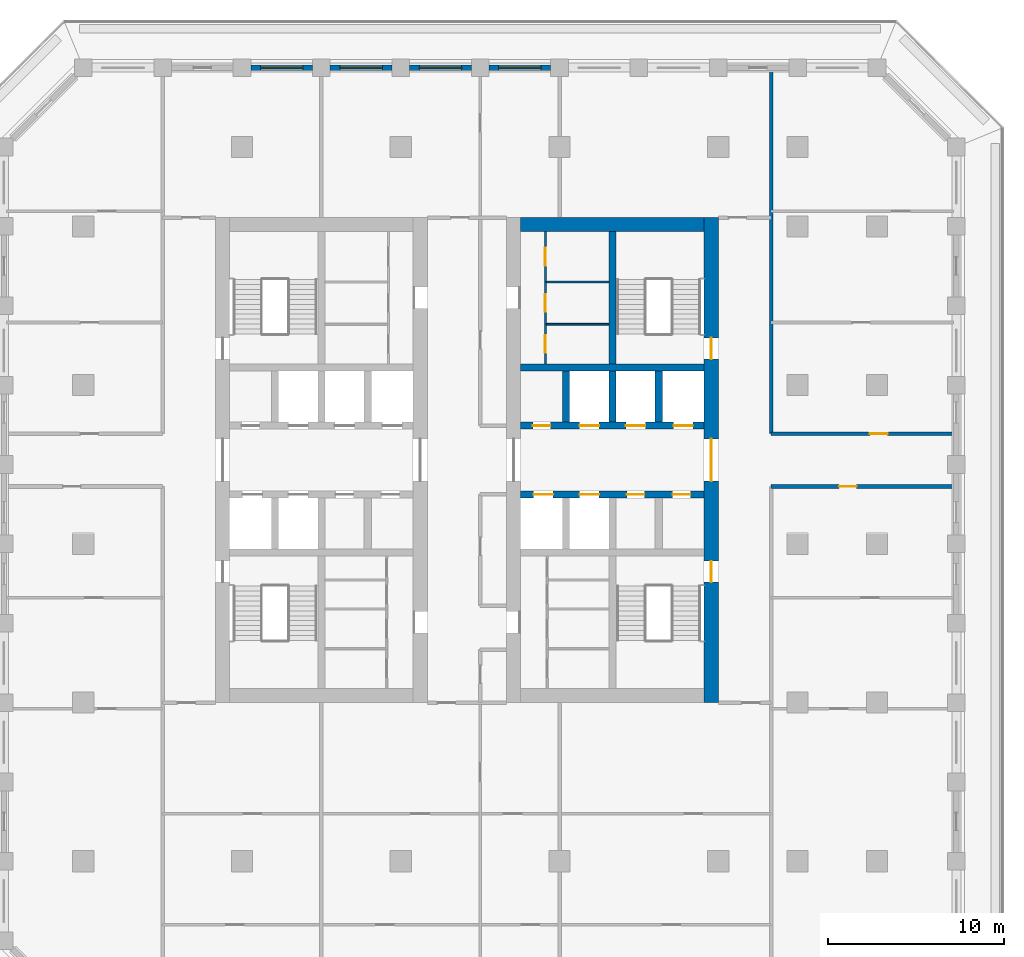
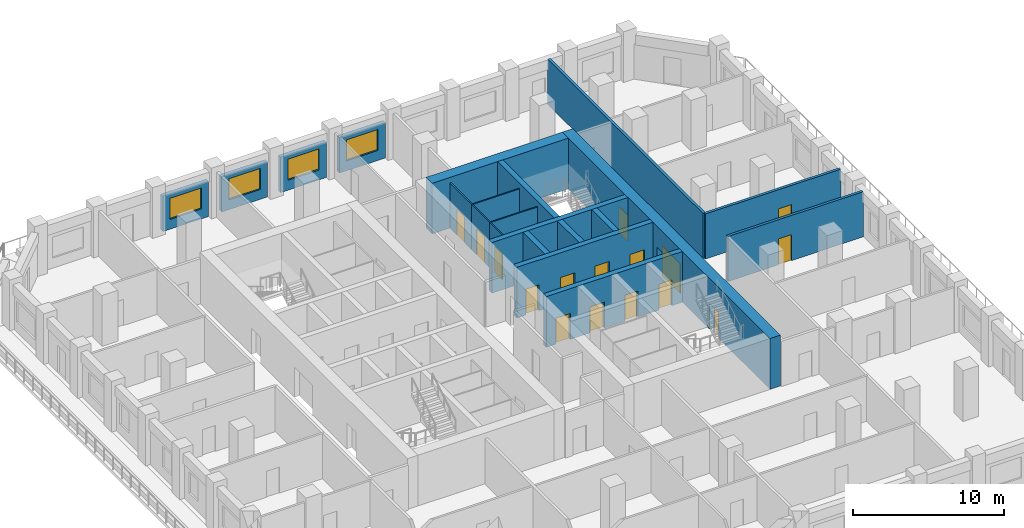
# One storey, part 7 of 16: 21 walls, 16 doors, 4 windows, 20 openings.
"""IFC4 building model written with IfcOpenShell, lengths in metres."""

from ifc_helpers import new_model, si_unit, direction, frame, frame_2d, origin, place, context, subcontext, project, spatial, rectangle, extrude, material, layer, layer_set, type_object, element, fill, save


model = new_model("IFC4")

# Units and contexts
model_context = context("Model", 3, precision=1e-05, world=origin(), true_north=direction((0.0, 1.0)))
body_context = subcontext(model_context, "Body", "Model", "MODEL_VIEW")
ifc_project = project(units=[si_unit("LENGTHUNIT", "METRE"), si_unit("AREAUNIT", "SQUARE_METRE"), si_unit("VOLUMEUNIT", "CUBIC_METRE"), si_unit("PLANEANGLEUNIT", "RADIAN"), si_unit("MASSUNIT", "GRAM", prefix="KILO")], contexts=[model_context])

# Site, building, storey
site_placement = place(None, origin())
site = spatial("IfcSite", under=ifc_project, at=site_placement, CompositionType="ELEMENT")
building_placement = place(site_placement, origin())
building = spatial("IfcBuilding", under=site, at=building_placement, Name="Corbel Stack Research Tower", CompositionType="ELEMENT")
storey_placement = place(building_placement, frame((0.0, 0.0, 203.800048828125)))
storey = spatial("IfcBuildingStorey", under=building, at=storey_placement, Name="L46", CompositionType="ELEMENT", Elevation=203.800048828125)

# Wall, openings, doors
ifc_material_1 = material(Name="Concrete C60/75", Category="concrete")
ifc_layer_1 = layer(ifc_material_1, 0.39990234375)
ifc_layer_set_1 = layer_set([ifc_layer_1], Name="Concrete C60/75")
wall_type_1 = type_object("IfcWallType", Name="CW-400-60", PredefinedType="SHEAR", material=ifc_layer_set_1)
wall_1_placement = place(storey_placement, frame((6.800048828125, 2.800048828125, 0.0), z_axis=(0.0, 0.0, 1.0), x_axis=(1.0, 0.0, 0.0)))
wall_1 = element("IfcWall", 1, at=wall_1_placement, inside=storey, type_object=wall_type_1, Name="East core wall, lobby south L46", PredefinedType="SHEAR", context=body_context, shape_type="SweptSolid", body=[
    extrude(rectangle(XDim=10.39990234375, YDim=0.39990234375, at=frame_2d((5.199951171875, 0.0))), origin(), (0.0, 0.0, 1.0), 4.099853515625),
])
opening_1_placement = place(wall_1_placement, frame((0.737548828125, 0.0, 0.0)))
opening_1 = element("IfcOpeningElement", 2, at=opening_1_placement, cuts=wall_1, Name="Opening LD-FS2", PredefinedType="OPENING", context=body_context, shape_type="SweptSolid", body=[
    extrude(rectangle(XDim=1.10009765625, YDim=2.10009765625, at=frame_2d((0.550048828125, 1.050048828125))), frame((0.0, 0.2099609375, 0.0), z_axis=(0.0, -1.0, 0.0), x_axis=(1.0, 0.0, 0.0)), (0.0, 0.0, 1.0), 0.419921875),
])
opening_2_placement = place(wall_1_placement, frame((3.33740234375, 0.0, 0.0)))
opening_2 = element("IfcOpeningElement", 3, at=opening_2_placement, cuts=wall_1, Name="Opening LD-GL2", PredefinedType="OPENING", context=body_context, shape_type="SweptSolid", body=[
    extrude(rectangle(XDim=1.10009765625, YDim=2.10009765625, at=frame_2d((0.550048828125, 1.050048828125))), frame((0.0, 0.2099609375, 0.0), z_axis=(0.0, -1.0, 0.0), x_axis=(1.0, 0.0, 0.0)), (0.0, 0.0, 1.0), 0.419921875),
])
opening_3_placement = place(wall_1_placement, frame((6.012451171875, 0.0, 0.0)))
opening_3 = element("IfcOpeningElement", 4, at=opening_3_placement, cuts=wall_1, Name="Opening CR-E42-S3", PredefinedType="OPENING", context=body_context, shape_type="SweptSolid", body=[
    extrude(rectangle(XDim=1.0, YDim=2.10009765625, at=frame_2d((0.5, 1.050048828125))), frame((0.0, 0.2099609375, 0.0), z_axis=(0.0, -1.0, 0.0), x_axis=(1.0, 0.0, 0.0)), (0.0, 0.0, 1.0), 0.419921875),
])
opening_4_placement = place(wall_1_placement, frame((8.612548828125, 0.0, 0.0)))
opening_4 = element("IfcOpeningElement", 5, at=opening_4_placement, cuts=wall_1, Name="Opening CR-E42-S4", PredefinedType="OPENING", context=body_context, shape_type="SweptSolid", body=[
    extrude(rectangle(XDim=1.0, YDim=2.10009765625, at=frame_2d((0.5, 1.050048828125))), frame((0.0, 0.2099609375, 0.0), z_axis=(0.0, -1.0, 0.0), x_axis=(1.0, 0.0, 0.0)), (0.0, 0.0, 1.0), 0.419921875),
])
ifc_material_2 = material(Name="Stainless steel landing door", Category="steel")
door_type_1 = type_object("IfcDoorType", Name="Lift landing door 1100 x 2100", OperationType="DOUBLE_DOOR_SLIDING", PredefinedType="DOOR", material=ifc_material_2)
door_1_placement = place(opening_1_placement, origin())
door_1 = element("IfcDoor", 6, at=door_1_placement, inside=storey, type_object=door_type_1, Name="Landing door FS2", OperationType="DOUBLE_DOOR_SLIDING", OverallHeight=2.10009765625, OverallWidth=1.10009765625, PredefinedType="DOOR", context=body_context, shape_type="SweptSolid", body=[
    extrude(rectangle(XDim=1.10009765625, YDim=2.10009765625, at=frame_2d((0.550048828125, 1.050048828125))), frame((0.0, 0.02490234375, 0.0), z_axis=(0.0, -1.0, 0.0), x_axis=(1.0, 0.0, 0.0)), (0.0, 0.0, 1.0), 0.050048828125),
])
fill(opening_1, door_1)
door_2_placement = place(opening_2_placement, origin())
door_2 = element("IfcDoor", 7, at=door_2_placement, inside=storey, type_object=door_type_1, Name="Landing door GL2", OperationType="DOUBLE_DOOR_SLIDING", OverallHeight=2.10009765625, OverallWidth=1.10009765625, PredefinedType="DOOR", context=body_context, shape_type="SweptSolid", body=[
    extrude(rectangle(XDim=1.10009765625, YDim=2.10009765625, at=frame_2d((0.550048828125, 1.050048828125))), frame((0.0, 0.02490234375, 0.0), z_axis=(0.0, -1.0, 0.0), x_axis=(1.0, 0.0, 0.0)), (0.0, 0.0, 1.0), 0.050048828125),
])
fill(opening_2, door_2)
ifc_material_3 = material(Name="Painted steel door", Category="steel")
door_type_2 = type_object("IfcDoorType", Name="Service door 1000 x 2100 FD60 left hand", OperationType="SINGLE_SWING_LEFT", PredefinedType="DOOR", material=ifc_material_3)
door_3_placement = place(opening_3_placement, origin())
door_3 = element("IfcDoor", 8, at=door_3_placement, inside=storey, type_object=door_type_2, Name="Electrical room door E core", OperationType="SINGLE_SWING_LEFT", OverallHeight=2.10009765625, OverallWidth=1.0, PredefinedType="DOOR", context=body_context, shape_type="SweptSolid", body=[
    extrude(rectangle(XDim=1.0, YDim=2.10009765625, at=frame_2d((0.5, 1.050048828125))), frame((0.0, 0.02490234375, 0.0), z_axis=(0.0, -1.0, 0.0), x_axis=(1.0, 0.0, 0.0)), (0.0, 0.0, 1.0), 0.050048828125),
])
fill(opening_3, door_3)
ifc_material_4 = material(Name="Painted steel door", Category="steel")
door_type_3 = type_object("IfcDoorType", Name="Service door 1000 x 2100 FD60 right hand", OperationType="SINGLE_SWING_RIGHT", PredefinedType="DOOR", material=ifc_material_4)
door_4_placement = place(opening_4_placement, origin())
door_4 = element("IfcDoor", 9, at=door_4_placement, inside=storey, type_object=door_type_3, Name="Pantry door E core", OperationType="SINGLE_SWING_RIGHT", OverallHeight=2.10009765625, OverallWidth=1.0, PredefinedType="DOOR", context=body_context, shape_type="SweptSolid", body=[
    extrude(rectangle(XDim=1.0, YDim=2.10009765625, at=frame_2d((0.5, 1.050048828125))), frame((0.0, 0.02490234375, 0.0), z_axis=(0.0, -1.0, 0.0), x_axis=(1.0, 0.0, 0.0)), (0.0, 0.0, 1.0), 0.050048828125),
])
fill(opening_4, door_4)

wall_2_placement = place(storey_placement, frame((6.800048828125, 6.699951171875, 0.0), z_axis=(0.0, 0.0, 1.0), x_axis=(1.0, 0.0, 0.0)))
wall_2 = element("IfcWall", 10, at=wall_2_placement, inside=storey, type_object=wall_type_1, Name="East core wall, lobby north L46", PredefinedType="SHEAR", context=body_context, shape_type="SweptSolid", body=[
    extrude(rectangle(XDim=10.39990234375, YDim=0.39990234375, at=frame_2d((5.199951171875, 0.0))), origin(), (0.0, 0.0, 1.0), 4.099853515625),
])
opening_5_placement = place(wall_2_placement, frame((3.33740234375, 0.0, 0.0)))
opening_5 = element("IfcOpeningElement", 11, at=opening_5_placement, cuts=wall_2, Name="Opening LD-HR4", PredefinedType="OPENING", context=body_context, shape_type="SweptSolid", body=[
    extrude(rectangle(XDim=1.10009765625, YDim=2.10009765625, at=frame_2d((0.550048828125, 1.050048828125))), frame((0.0, 0.2099609375, 0.0), z_axis=(0.0, -1.0, 0.0), x_axis=(1.0, 0.0, 0.0)), (0.0, 0.0, 1.0), 0.419921875),
])
opening_6_placement = place(wall_2_placement, frame((5.96240234375, 0.0, 0.0)))
opening_6 = element("IfcOpeningElement", 12, at=opening_6_placement, cuts=wall_2, Name="Opening LD-HR5", PredefinedType="OPENING", context=body_context, shape_type="SweptSolid", body=[
    extrude(rectangle(XDim=1.10009765625, YDim=2.10009765625, at=frame_2d((0.550048828125, 1.050048828125))), frame((0.0, 0.2099609375, 0.0), z_axis=(0.0, -1.0, 0.0), x_axis=(1.0, 0.0, 0.0)), (0.0, 0.0, 1.0), 0.419921875),
])
opening_7_placement = place(wall_2_placement, frame((8.66259765625, 0.0, 0.0)))
opening_7 = element("IfcOpeningElement", 13, at=opening_7_placement, cuts=wall_2, Name="Opening LD-HR6", PredefinedType="OPENING", context=body_context, shape_type="SweptSolid", body=[
    extrude(rectangle(XDim=1.10009765625, YDim=2.10009765625, at=frame_2d((0.550048828125, 1.050048828125))), frame((0.0, 0.2099609375, 0.0), z_axis=(0.0, -1.0, 0.0), x_axis=(1.0, 0.0, 0.0)), (0.0, 0.0, 1.0), 0.419921875),
])
opening_8_placement = place(wall_2_placement, frame((0.6875, 0.0, 0.0)))
opening_8 = element("IfcOpeningElement", 14, at=opening_8_placement, cuts=wall_2, Name="Opening CR-E42-N1", PredefinedType="OPENING", context=body_context, shape_type="SweptSolid", body=[
    extrude(rectangle(XDim=1.0, YDim=2.10009765625, at=frame_2d((0.5, 1.050048828125))), frame((0.0, 0.2099609375, 0.0), z_axis=(0.0, -1.0, 0.0), x_axis=(1.0, 0.0, 0.0)), (0.0, 0.0, 1.0), 0.419921875),
])
door_5_placement = place(opening_5_placement, origin())
door_5 = element("IfcDoor", 15, at=door_5_placement, inside=storey, type_object=door_type_1, Name="Landing door HR4", OperationType="DOUBLE_DOOR_SLIDING", OverallHeight=2.10009765625, OverallWidth=1.10009765625, PredefinedType="DOOR", context=body_context, shape_type="SweptSolid", body=[
    extrude(rectangle(XDim=1.10009765625, YDim=2.10009765625, at=frame_2d((0.550048828125, 1.050048828125))), frame((0.0, 0.02490234375, 0.0), z_axis=(0.0, -1.0, 0.0), x_axis=(1.0, 0.0, 0.0)), (0.0, 0.0, 1.0), 0.050048828125),
])
fill(opening_5, door_5)
door_6_placement = place(opening_6_placement, origin())
door_6 = element("IfcDoor", 16, at=door_6_placement, inside=storey, type_object=door_type_1, Name="Landing door HR5", OperationType="DOUBLE_DOOR_SLIDING", OverallHeight=2.10009765625, OverallWidth=1.10009765625, PredefinedType="DOOR", context=body_context, shape_type="SweptSolid", body=[
    extrude(rectangle(XDim=1.10009765625, YDim=2.10009765625, at=frame_2d((0.550048828125, 1.050048828125))), frame((0.0, 0.02490234375, 0.0), z_axis=(0.0, -1.0, 0.0), x_axis=(1.0, 0.0, 0.0)), (0.0, 0.0, 1.0), 0.050048828125),
])
fill(opening_6, door_6)
door_7_placement = place(opening_7_placement, origin())
door_7 = element("IfcDoor", 17, at=door_7_placement, inside=storey, type_object=door_type_1, Name="Landing door HR6", OperationType="DOUBLE_DOOR_SLIDING", OverallHeight=2.10009765625, OverallWidth=1.10009765625, PredefinedType="DOOR", context=body_context, shape_type="SweptSolid", body=[
    extrude(rectangle(XDim=1.10009765625, YDim=2.10009765625, at=frame_2d((0.550048828125, 1.050048828125))), frame((0.0, 0.02490234375, 0.0), z_axis=(0.0, -1.0, 0.0), x_axis=(1.0, 0.0, 0.0)), (0.0, 0.0, 1.0), 0.050048828125),
])
fill(opening_7, door_7)
door_8_placement = place(opening_8_placement, origin())
door_8 = element("IfcDoor", 18, at=door_8_placement, inside=storey, type_object=door_type_2, Name="Staff WC door E core", OperationType="SINGLE_SWING_LEFT", OverallHeight=2.10009765625, OverallWidth=1.0, PredefinedType="DOOR", context=body_context, shape_type="SweptSolid", body=[
    extrude(rectangle(XDim=1.0, YDim=2.10009765625, at=frame_2d((0.5, 1.050048828125))), frame((0.0, 0.02490234375, 0.0), z_axis=(0.0, -1.0, 0.0), x_axis=(1.0, 0.0, 0.0)), (0.0, 0.0, 1.0), 0.050048828125),
])
fill(opening_8, door_8)

# Walls
wall_3_placement = place(storey_placement, frame((6.800048828125, 10.0, 0.0), z_axis=(0.0, 0.0, 1.0), x_axis=(1.0, 0.0, 0.0)))
element("IfcWall", 19, at=wall_3_placement, inside=storey, type_object=wall_type_1, Name="East core wall, north row back L46", PredefinedType="SHEAR", context=body_context, shape_type="SweptSolid", body=[
    extrude(rectangle(XDim=10.39990234375, YDim=0.39990234375, at=frame_2d((5.199951171875, 0.0))), origin(), (0.0, 0.0, 1.0), 4.099853515625),
])
for number, where, z_axis, x_axis, name in (
    (20, (9.375, 6.89990234375, 0.0), (0.0, 0.0, 1.0), (0.0, 1.0, 0.0), "East core wall, north shaft 1 L46"),
    (21, (12.0, 6.89990234375, 0.0), (0.0, 0.0, 1.0), (0.0, 1.0, 0.0), "East core wall, north shaft 2 L46"),
    (22, (14.625, 6.89990234375, 0.0), (0.0, 0.0, 1.0), (0.0, 1.0, 0.0), "East core wall, north shaft 3 L46"),
):
    element("IfcWall", number, at=place(storey_placement, frame(where, z_axis=z_axis, x_axis=x_axis)), inside=storey, type_object=wall_type_1, Name=name, PredefinedType="SHEAR", context=body_context, shape_type="SweptSolid", body=[
        extrude(rectangle(XDim=2.900146484375, YDim=0.39990234375, at=frame_2d((1.4501953125, 0.0))), origin(), (0.0, 0.0, 1.0), 4.099853515625),
    ])
wall_4_placement = place(storey_placement, frame((12.0, 10.199951171875, 0.0), z_axis=(0.0, 0.0, 1.0), x_axis=(0.0, 1.0, 0.0)))
element("IfcWall", 23, at=wall_4_placement, inside=storey, type_object=wall_type_1, Name="East core wall, north stair and riser L46", PredefinedType="SHEAR", context=body_context, shape_type="SweptSolid", body=[
    extrude(rectangle(XDim=7.5, YDim=0.39990234375, at=frame_2d((3.75, 0.0))), origin(), (0.0, 0.0, 1.0), 4.099853515625),
])

# Wall, openings, doors
ifc_material_5 = material(Name="Concrete C60/75", Category="concrete")
ifc_layer_2 = layer(ifc_material_5, 0.800048828125)
ifc_layer_set_2 = layer_set([ifc_layer_2], Name="Concrete C60/75")
wall_type_2 = type_object("IfcWallType", Name="CW-800-60", PredefinedType="SHEAR", material=ifc_layer_set_2)
wall_5_placement = place(storey_placement, frame((17.60009765625, -9.0, 0.0), z_axis=(0.0, 0.0, 1.0), x_axis=(0.0, 1.0, 0.0)))
wall_5 = element("IfcWall", 24, at=wall_5_placement, inside=storey, type_object=wall_type_2, Name="East core wall, east face L46", PredefinedType="SHEAR", context=body_context, shape_type="SweptSolid", body=[
    extrude(rectangle(XDim=27.5, YDim=0.800048828125, at=frame_2d((13.75, 0.0))), origin(), (0.0, 0.0, 1.0), 4.099853515625),
])
opening_9_placement = place(wall_5_placement, frame((12.550048828125, 0.0, 0.0)))
opening_9 = element("IfcOpeningElement", 25, at=opening_9_placement, cuts=wall_5, Name="Opening CD-E-E", PredefinedType="OPENING", context=body_context, shape_type="SweptSolid", body=[
    extrude(rectangle(XDim=2.39990234375, YDim=2.39990234375, at=frame_2d((1.199951171875, 1.199951171875))), frame((0.0, 0.409912109375, 0.0), z_axis=(0.0, -1.0, 0.0), x_axis=(1.0, 0.0, 0.0)), (0.0, 0.0, 1.0), 0.820068359375),
])
opening_10_placement = place(wall_5_placement, frame((6.824951171875, 0.0, 0.0)))
opening_10 = element("IfcOpeningElement", 26, at=opening_10_placement, cuts=wall_5, Name="Opening SD-ST-E1", PredefinedType="OPENING", context=body_context, shape_type="SweptSolid", body=[
    extrude(rectangle(XDim=1.199951171875, YDim=2.10009765625, at=frame_2d((0.60009765625, 1.050048828125))), frame((0.0, 0.409912109375, 0.0), z_axis=(0.0, -1.0, 0.0), x_axis=(1.0, 0.0, 0.0)), (0.0, 0.0, 1.0), 0.820068359375),
])
opening_11_placement = place(wall_5_placement, frame((19.47509765625, 0.0, 0.0)))
opening_11 = element("IfcOpeningElement", 27, at=opening_11_placement, cuts=wall_5, Name="Opening SD-ST-E2", PredefinedType="OPENING", context=body_context, shape_type="SweptSolid", body=[
    extrude(rectangle(XDim=1.199951171875, YDim=2.10009765625, at=frame_2d((0.60009765625, 1.050048828125))), frame((0.0, 0.409912109375, 0.0), z_axis=(0.0, -1.0, 0.0), x_axis=(1.0, 0.0, 0.0)), (0.0, 0.0, 1.0), 0.820068359375),
])
ifc_material_6 = material(Name="Painted steel fire door", Category="steel")
door_type_4 = type_object("IfcDoorType", Name="Lobby door pair 2400 x 2400 FD30S", OperationType="DOUBLE_DOOR_DOUBLE_SWING", PredefinedType="DOOR", material=ifc_material_6)
door_9_placement = place(opening_9_placement, origin())
door_9 = element("IfcDoor", 28, at=door_9_placement, inside=storey, type_object=door_type_4, Name="Lift lobby door E core E", OperationType="DOUBLE_DOOR_DOUBLE_SWING", OverallHeight=2.39990234375, OverallWidth=2.39990234375, PredefinedType="DOOR", context=body_context, shape_type="SweptSolid", body=[
    extrude(rectangle(XDim=2.39990234375, YDim=2.39990234375, at=frame_2d((1.199951171875, 1.199951171875))), frame((0.0, 0.02490234375, 0.0), z_axis=(0.0, -1.0, 0.0), x_axis=(1.0, 0.0, 0.0)), (0.0, 0.0, 1.0), 0.050048828125),
])
fill(opening_9, door_9)
ifc_material_7 = material(Name="Painted steel fire door", Category="steel")
door_type_5 = type_object("IfcDoorType", Name="Stair door 1200 x 2100 FD90 right hand", OperationType="SINGLE_SWING_RIGHT", PredefinedType="DOOR", material=ifc_material_7)
door_10_placement = place(opening_10_placement, frame((1.199951171875, 0.0, 0.0), z_axis=(0.0, 0.0, 1.0), x_axis=(-1.0, 0.0, 0.0)))
door_10 = element("IfcDoor", 29, at=door_10_placement, inside=storey, type_object=door_type_5, Name="Stair door ST-E1", OperationType="SINGLE_SWING_LEFT", OverallHeight=2.10009765625, OverallWidth=1.199951171875, PredefinedType="DOOR", context=body_context, shape_type="SweptSolid", body=[
    extrude(rectangle(XDim=1.199951171875, YDim=2.10009765625, at=frame_2d((0.60009765625, 1.050048828125))), frame((0.0, 0.02490234375, 0.0), z_axis=(0.0, -1.0, 0.0), x_axis=(1.0, 0.0, 0.0)), (0.0, 0.0, 1.0), 0.050048828125),
])
fill(opening_10, door_10)
door_11_placement = place(opening_11_placement, frame((1.199951171875, 0.0, 0.0), z_axis=(0.0, 0.0, 1.0), x_axis=(-1.0, 0.0, 0.0)))
door_11 = element("IfcDoor", 30, at=door_11_placement, inside=storey, type_object=door_type_5, Name="Stair door ST-E2", OperationType="SINGLE_SWING_LEFT", OverallHeight=2.10009765625, OverallWidth=1.199951171875, PredefinedType="DOOR", context=body_context, shape_type="SweptSolid", body=[
    extrude(rectangle(XDim=1.199951171875, YDim=2.10009765625, at=frame_2d((0.60009765625, 1.050048828125))), frame((0.0, 0.02490234375, 0.0), z_axis=(0.0, -1.0, 0.0), x_axis=(1.0, 0.0, 0.0)), (0.0, 0.0, 1.0), 0.050048828125),
])
fill(opening_11, door_11)

# Wall
wall_6_placement = place(storey_placement, frame((6.800048828125, 18.10009765625, 0.0), z_axis=(0.0, 0.0, 1.0), x_axis=(1.0, 0.0, 0.0)))
element("IfcWall", 31, at=wall_6_placement, inside=storey, type_object=wall_type_2, Name="East core wall, north end L46", PredefinedType="SHEAR", context=body_context, shape_type="SweptSolid", body=[
    extrude(rectangle(XDim=10.39990234375, YDim=0.800048828125, at=frame_2d((5.199951171875, 0.0))), origin(), (0.0, 0.0, 1.0), 4.099853515625),
])

# Wall, opening, door
ifc_material_8 = material(Name="Gypsum board")
ifc_layer_3 = layer(ifc_material_8, 0.10009765625)
ifc_layer_set_3 = layer_set([ifc_layer_3], Name="Gypsum board")
wall_type_3 = type_object("IfcWallType", Name="Core partition 100", PredefinedType="PARTITIONING", material=ifc_layer_set_3)
wall_7_placement = place(storey_placement, frame((8.199951171875, 10.199951171875, 0.0), z_axis=(0.0, 0.0, 1.0), x_axis=(0.0, 1.0, 0.0)))
wall_7 = element("IfcWall", 32, at=wall_7_placement, inside=storey, type_object=wall_type_3, Name="Core partition E", PredefinedType="PARTITIONING", context=body_context, shape_type="SweptSolid", body=[
    extrude(rectangle(XDim=2.25, YDim=0.10009765625, at=frame_2d((1.125, 0.0))), origin(), (0.0, 0.0, 1.0), 3.64990234375),
])
opening_12_placement = place(wall_7_placement, frame((0.625, 0.0, 0.0)))
opening_12 = element("IfcOpeningElement", 33, at=opening_12_placement, cuts=wall_7, Name="Opening CR-E42-R2-1000", PredefinedType="OPENING", context=body_context, shape_type="SweptSolid", body=[
    extrude(rectangle(XDim=1.0, YDim=2.10009765625, at=frame_2d((0.5, 1.050048828125))), frame((0.0, 0.06005859375, 0.0), z_axis=(0.0, -1.0, 0.0), x_axis=(1.0, 0.0, 0.0)), (0.0, 0.0, 1.0), 0.1201171875),
])
ifc_material_9 = material(Name="Painted steel door", Category="steel")
door_type_6 = type_object("IfcDoorType", Name="Riser door 1000 x 2100 FD60 left hand", OperationType="SINGLE_SWING_LEFT", PredefinedType="DOOR", material=ifc_material_9)
door_12_placement = place(opening_12_placement, origin())
door_12 = element("IfcDoor", 34, at=door_12_placement, inside=storey, type_object=door_type_6, Name="Mechanical riser door E core", OperationType="SINGLE_SWING_LEFT", OverallHeight=2.10009765625, OverallWidth=1.0, PredefinedType="DOOR", context=body_context, shape_type="SweptSolid", body=[
    extrude(rectangle(XDim=1.0, YDim=2.10009765625, at=frame_2d((0.5, 1.050048828125))), frame((0.0, 0.02490234375, 0.0), z_axis=(0.0, -1.0, 0.0), x_axis=(1.0, 0.0, 0.0)), (0.0, 0.0, 1.0), 0.050048828125),
])
fill(opening_12, door_12)

wall_8_placement = place(storey_placement, frame((8.199951171875, 12.449951171875, 0.0), z_axis=(0.0, 0.0, 1.0), x_axis=(0.0, 1.0, 0.0)))
wall_8 = element("IfcWall", 35, at=wall_8_placement, inside=storey, type_object=wall_type_3, Name="Core partition E", PredefinedType="PARTITIONING", context=body_context, shape_type="SweptSolid", body=[
    extrude(rectangle(XDim=2.400146484375, YDim=0.10009765625, at=frame_2d((1.2001953125, 0.0))), origin(), (0.0, 0.0, 1.0), 3.64990234375),
])
opening_13_placement = place(wall_8_placement, frame((0.699951171875, 0.0, 0.0)))
opening_13 = element("IfcOpeningElement", 36, at=opening_13_placement, cuts=wall_8, Name="Opening CR-E42-R3-1000", PredefinedType="OPENING", context=body_context, shape_type="SweptSolid", body=[
    extrude(rectangle(XDim=1.0, YDim=2.10009765625, at=frame_2d((0.5, 1.050048828125))), frame((0.0, 0.06005859375, 0.0), z_axis=(0.0, -1.0, 0.0), x_axis=(1.0, 0.0, 0.0)), (0.0, 0.0, 1.0), 0.1201171875),
])
ifc_material_10 = material(Name="Painted steel door", Category="steel")
door_type_7 = type_object("IfcDoorType", Name="Service door 1000 x 2100 FD30 right hand", OperationType="SINGLE_SWING_RIGHT", PredefinedType="DOOR", material=ifc_material_10)
door_13_placement = place(opening_13_placement, origin())
door_13 = element("IfcDoor", 37, at=door_13_placement, inside=storey, type_object=door_type_7, Name="Pantry door E core", OperationType="SINGLE_SWING_RIGHT", OverallHeight=2.10009765625, OverallWidth=1.0, PredefinedType="DOOR", context=body_context, shape_type="SweptSolid", body=[
    extrude(rectangle(XDim=1.0, YDim=2.10009765625, at=frame_2d((0.5, 1.050048828125))), frame((0.0, 0.02490234375, 0.0), z_axis=(0.0, -1.0, 0.0), x_axis=(1.0, 0.0, 0.0)), (0.0, 0.0, 1.0), 0.050048828125),
])
fill(opening_13, door_13)

wall_9_placement = place(storey_placement, frame((8.199951171875, 14.85009765625, 0.0), z_axis=(0.0, 0.0, 1.0), x_axis=(0.0, 1.0, 0.0)))
wall_9 = element("IfcWall", 38, at=wall_9_placement, inside=storey, type_object=wall_type_3, Name="Core partition E", PredefinedType="PARTITIONING", context=body_context, shape_type="SweptSolid", body=[
    extrude(rectangle(XDim=2.849853515625, YDim=0.10009765625, at=frame_2d((1.4248046875, 0.0))), origin(), (0.0, 0.0, 1.0), 3.64990234375),
])
opening_14_placement = place(wall_9_placement, frame((0.925048828125, 0.0, 0.0)))
opening_14 = element("IfcOpeningElement", 39, at=opening_14_placement, cuts=wall_9, Name="Opening CR-E42-R4-1000", PredefinedType="OPENING", context=body_context, shape_type="SweptSolid", body=[
    extrude(rectangle(XDim=1.0, YDim=2.10009765625, at=frame_2d((0.5, 1.050048828125))), frame((0.0, 0.06005859375, 0.0), z_axis=(0.0, -1.0, 0.0), x_axis=(1.0, 0.0, 0.0)), (0.0, 0.0, 1.0), 0.1201171875),
])
door_14_placement = place(opening_14_placement, origin())
door_14 = element("IfcDoor", 40, at=door_14_placement, inside=storey, type_object=door_type_6, Name="Electrical riser door E core", OperationType="SINGLE_SWING_LEFT", OverallHeight=2.10009765625, OverallWidth=1.0, PredefinedType="DOOR", context=body_context, shape_type="SweptSolid", body=[
    extrude(rectangle(XDim=1.0, YDim=2.10009765625, at=frame_2d((0.5, 1.050048828125))), frame((0.0, 0.02490234375, 0.0), z_axis=(0.0, -1.0, 0.0), x_axis=(1.0, 0.0, 0.0)), (0.0, 0.0, 1.0), 0.050048828125),
])
fill(opening_14, door_14)

# Walls
for number, where, z_axis, x_axis, name in (
    (41, (8.199951171875, 12.449951171875, 0.0), (0.0, 0.0, 1.0), (1.0, 0.0, 0.0), "Core partition E"),
    (42, (8.199951171875, 14.85009765625, 0.0), (0.0, 0.0, 1.0), (1.0, 0.0, 0.0), "Core partition E"),
):
    element("IfcWall", number, at=place(storey_placement, frame(where, z_axis=z_axis, x_axis=x_axis)), inside=storey, type_object=wall_type_3, Name=name, PredefinedType="PARTITIONING", context=body_context, shape_type="SweptSolid", body=[
        extrude(rectangle(XDim=3.60009765625, YDim=0.10009765625, at=frame_2d((1.800048828125, 0.0))), origin(), (0.0, 0.0, 1.0), 3.64990234375),
    ])
ifc_material_11 = material(Name="Fire-rated gypsum board partition on steel studs", Category="steel")
ifc_layer_4 = layer(ifc_material_11, 0.199951171875)
ifc_layer_set_4 = layer_set([ifc_layer_4], Name="Fire-rated gypsum board partition on steel studs")
wall_type_4 = type_object("IfcWallType", Name="Fire-rated partition 200 EI 60", PredefinedType="PARTITIONING", material=ifc_layer_set_4)
wall_10_placement = place(storey_placement, frame((21.0, 6.25, 0.0), z_axis=(0.0, 0.0, 1.0), x_axis=(0.0, 1.0, 0.0)))
element("IfcWall", 43, at=wall_10_placement, inside=storey, type_object=wall_type_4, Name="Partition L46-015", PredefinedType="PARTITIONING", context=body_context, shape_type="SweptSolid", body=[
    extrude(rectangle(XDim=20.60009765625, YDim=0.199951171875, at=frame_2d((10.300048828125, 0.0))), origin(), (0.0, 0.0, 1.0), 3.64990234375),
])

# Wall, opening, door
wall_11_placement = place(storey_placement, frame((31.35009765625, 3.25, 0.0), z_axis=(0.0, 0.0, 1.0), x_axis=(-1.0, 0.0, 0.0)))
wall_11 = element("IfcWall", 44, at=wall_11_placement, inside=storey, type_object=wall_type_4, Name="Partition L46-032", PredefinedType="PARTITIONING", context=body_context, shape_type="SweptSolid", body=[
    extrude(rectangle(XDim=10.35009765625, YDim=0.199951171875, at=frame_2d((5.175048828125, 0.0))), origin(), (0.0, 0.0, 1.0), 3.64990234375),
])
opening_15_placement = place(wall_11_placement, frame((5.5, 0.0, 0.0)))
opening_15 = element("IfcOpeningElement", 45, at=opening_15_placement, cuts=wall_11, Name="Opening B6V1-017", PredefinedType="OPENING", context=body_context, shape_type="SweptSolid", body=[
    extrude(rectangle(XDim=1.0, YDim=2.10009765625, at=frame_2d((0.5, 1.050048828125))), frame((0.0, 0.10986328125, 0.0), z_axis=(0.0, -1.0, 0.0), x_axis=(1.0, 0.0, 0.0)), (0.0, 0.0, 1.0), 0.219970703125),
])
ifc_material_12 = material(Name="Painted steel fire door", Category="steel")
door_type_8 = type_object("IfcDoorType", Name="Fire door FD30S 1000 x 2100", OperationType="NOTDEFINED", PredefinedType="DOOR", material=ifc_material_12)
door_15_placement = place(opening_15_placement, origin())
door_15 = element("IfcDoor", 46, at=door_15_placement, inside=storey, type_object=door_type_8, Name="Door B6V1-017", OperationType="SINGLE_SWING_RIGHT", OverallHeight=2.10009765625, OverallWidth=1.0, PredefinedType="DOOR", context=body_context, shape_type="SweptSolid", body=[
    extrude(rectangle(XDim=1.0, YDim=2.10009765625, at=frame_2d((0.5, 1.050048828125))), frame((0.0, 0.02490234375, 0.0), z_axis=(0.0, -1.0, 0.0), x_axis=(1.0, 0.0, 0.0)), (0.0, 0.0, 1.0), 0.050048828125),
])
fill(opening_15, door_15)

wall_12_placement = place(storey_placement, frame((21.0, 6.25, 0.0), z_axis=(0.0, 0.0, 1.0), x_axis=(1.0, 0.0, 0.0)))
wall_12 = element("IfcWall", 47, at=wall_12_placement, inside=storey, type_object=wall_type_4, Name="Partition L46-034", PredefinedType="PARTITIONING", context=body_context, shape_type="SweptSolid", body=[
    extrude(rectangle(XDim=10.35009765625, YDim=0.199951171875, at=frame_2d((5.175048828125, 0.0))), origin(), (0.0, 0.0, 1.0), 3.64990234375),
])
opening_16_placement = place(wall_12_placement, frame((5.60009765625, 0.0, 0.0)))
opening_16 = element("IfcOpeningElement", 48, at=opening_16_placement, cuts=wall_12, Name="Opening B6V1-024", PredefinedType="OPENING", context=body_context, shape_type="SweptSolid", body=[
    extrude(rectangle(XDim=1.0, YDim=2.10009765625, at=frame_2d((0.5, 1.050048828125))), frame((0.0, 0.10986328125, 0.0), z_axis=(0.0, -1.0, 0.0), x_axis=(1.0, 0.0, 0.0)), (0.0, 0.0, 1.0), 0.219970703125),
])
door_16_placement = place(opening_16_placement, origin())
door_16 = element("IfcDoor", 49, at=door_16_placement, inside=storey, type_object=door_type_8, Name="Door B6V1-024", OperationType="SINGLE_SWING_RIGHT", OverallHeight=2.10009765625, OverallWidth=1.0, PredefinedType="DOOR", context=body_context, shape_type="SweptSolid", body=[
    extrude(rectangle(XDim=1.0, YDim=2.10009765625, at=frame_2d((0.5, 1.050048828125))), frame((0.0, 0.02490234375, 0.0), z_axis=(0.0, -1.0, 0.0), x_axis=(1.0, 0.0, 0.0)), (0.0, 0.0, 1.0), 0.050048828125),
])
fill(opening_16, door_16)

# Wall, opening, window
ifc_material_13 = material(Name="Concrete C45/55", Category="concrete")
ifc_layer_5 = layer(ifc_material_13, 0.300048828125)
ifc_layer_set_5 = layer_set([ifc_layer_5], Name="Concrete C45/55")
wall_type_5 = type_object("IfcWallType", Name="Terracotta-faced concrete wall 300", PredefinedType="SOLIDWALL", material=ifc_layer_set_5)
wall_13_placement = place(storey_placement, frame((5.0, 27.0, 0.0), z_axis=(0.0, 0.0, 1.0), x_axis=(1.0, 0.0, 0.0)))
wall_13 = element("IfcWall", 50, at=wall_13_placement, inside=storey, type_object=wall_type_5, Name="Facade wall L46 N05", PredefinedType="SOLIDWALL", context=body_context, shape_type="SweptSolid", body=[
    extrude(rectangle(XDim=3.5, YDim=0.300048828125, at=frame_2d((1.75, 0.0))), origin(), (0.0, 0.0, 1.0), 2.849853515625),
])
opening_17_placement = place(wall_13_placement, frame((0.550048828125, 0.0, 0.800048828125)))
opening_17 = element("IfcOpeningElement", 51, at=opening_17_placement, cuts=wall_13, Name="Opening W1", PredefinedType="OPENING", context=body_context, shape_type="SweptSolid", body=[
    extrude(rectangle(XDim=2.39990234375, YDim=1.699951171875, at=frame_2d((1.199951171875, 0.85009765625))), frame((0.0, 0.159912109375, 0.0), z_axis=(0.0, -1.0, 0.0), x_axis=(1.0, 0.0, 0.0)), (0.0, 0.0, 1.0), 0.320068359375),
])
ifc_material_14 = material(Name="Aluminium frame, clear double glazing", Category="aluminium")
window_type = type_object("IfcWindowType", Name="Window W1 2400 x 1700", PartitioningType="SINGLE_PANEL", PredefinedType="WINDOW", material=ifc_material_14)
window_1_placement = place(opening_17_placement, origin())
window_1 = element("IfcWindow", 52, at=window_1_placement, inside=storey, type_object=window_type, Name="Window W1 L46 N05", OverallHeight=1.699951171875, OverallWidth=2.39990234375, PartitioningType="SINGLE_PANEL", PredefinedType="WINDOW", context=body_context, shape_type="SweptSolid", body=[
    extrude(rectangle(XDim=2.39990234375, YDim=1.699951171875, at=frame_2d((1.199951171875, 0.85009765625))), frame((0.0, 0.030029296875, 0.0), z_axis=(0.0, -1.0, 0.0), x_axis=(1.0, 0.0, 0.0)), (0.0, 0.0, 1.0), 0.06005859375),
])
fill(opening_17, window_1)

wall_14_placement = place(storey_placement, frame((0.5, 27.0, 0.0), z_axis=(0.0, 0.0, 1.0), x_axis=(1.0, 0.0, 0.0)))
wall_14 = element("IfcWall", 53, at=wall_14_placement, inside=storey, type_object=wall_type_5, Name="Facade wall L46 N06", PredefinedType="SOLIDWALL", context=body_context, shape_type="SweptSolid", body=[
    extrude(rectangle(XDim=3.5, YDim=0.300048828125, at=frame_2d((1.75, 0.0))), origin(), (0.0, 0.0, 1.0), 2.849853515625),
])
opening_18_placement = place(wall_14_placement, frame((0.550048828125, 0.0, 0.800048828125)))
opening_18 = element("IfcOpeningElement", 54, at=opening_18_placement, cuts=wall_14, Name="Opening W1", PredefinedType="OPENING", context=body_context, shape_type="SweptSolid", body=[
    extrude(rectangle(XDim=2.39990234375, YDim=1.699951171875, at=frame_2d((1.199951171875, 0.85009765625))), frame((0.0, 0.159912109375, 0.0), z_axis=(0.0, -1.0, 0.0), x_axis=(1.0, 0.0, 0.0)), (0.0, 0.0, 1.0), 0.320068359375),
])
window_2_placement = place(opening_18_placement, origin())
window_2 = element("IfcWindow", 55, at=window_2_placement, inside=storey, type_object=window_type, Name="Window W1 L46 N06", OverallHeight=1.699951171875, OverallWidth=2.39990234375, PartitioningType="SINGLE_PANEL", PredefinedType="WINDOW", context=body_context, shape_type="SweptSolid", body=[
    extrude(rectangle(XDim=2.39990234375, YDim=1.699951171875, at=frame_2d((1.199951171875, 0.85009765625))), frame((0.0, 0.030029296875, 0.0), z_axis=(0.0, -1.0, 0.0), x_axis=(1.0, 0.0, 0.0)), (0.0, 0.0, 1.0), 0.06005859375),
])
fill(opening_18, window_2)

wall_15_placement = place(storey_placement, frame((-4.0, 27.0, 0.0), z_axis=(0.0, 0.0, 1.0), x_axis=(1.0, 0.0, 0.0)))
wall_15 = element("IfcWall", 56, at=wall_15_placement, inside=storey, type_object=wall_type_5, Name="Facade wall L46 N07", PredefinedType="SOLIDWALL", context=body_context, shape_type="SweptSolid", body=[
    extrude(rectangle(XDim=3.5, YDim=0.300048828125, at=frame_2d((1.75, 0.0))), origin(), (0.0, 0.0, 1.0), 2.849853515625),
])
opening_19_placement = place(wall_15_placement, frame((0.550048828125, 0.0, 0.800048828125)))
opening_19 = element("IfcOpeningElement", 57, at=opening_19_placement, cuts=wall_15, Name="Opening W1", PredefinedType="OPENING", context=body_context, shape_type="SweptSolid", body=[
    extrude(rectangle(XDim=2.39990234375, YDim=1.699951171875, at=frame_2d((1.199951171875, 0.85009765625))), frame((0.0, 0.159912109375, 0.0), z_axis=(0.0, -1.0, 0.0), x_axis=(1.0, 0.0, 0.0)), (0.0, 0.0, 1.0), 0.320068359375),
])
window_3_placement = place(opening_19_placement, origin())
window_3 = element("IfcWindow", 58, at=window_3_placement, inside=storey, type_object=window_type, Name="Window W1 L46 N07", OverallHeight=1.699951171875, OverallWidth=2.39990234375, PartitioningType="SINGLE_PANEL", PredefinedType="WINDOW", context=body_context, shape_type="SweptSolid", body=[
    extrude(rectangle(XDim=2.39990234375, YDim=1.699951171875, at=frame_2d((1.199951171875, 0.85009765625))), frame((0.0, 0.030029296875, 0.0), z_axis=(0.0, -1.0, 0.0), x_axis=(1.0, 0.0, 0.0)), (0.0, 0.0, 1.0), 0.06005859375),
])
fill(opening_19, window_3)

wall_16_placement = place(storey_placement, frame((-8.5, 27.0, 0.0), z_axis=(0.0, 0.0, 1.0), x_axis=(1.0, 0.0, 0.0)))
wall_16 = element("IfcWall", 59, at=wall_16_placement, inside=storey, type_object=wall_type_5, Name="Facade wall L46 N08", PredefinedType="SOLIDWALL", context=body_context, shape_type="SweptSolid", body=[
    extrude(rectangle(XDim=3.5, YDim=0.300048828125, at=frame_2d((1.75, 0.0))), origin(), (0.0, 0.0, 1.0), 2.849853515625),
])
opening_20_placement = place(wall_16_placement, frame((0.550048828125, 0.0, 0.800048828125)))
opening_20 = element("IfcOpeningElement", 60, at=opening_20_placement, cuts=wall_16, Name="Opening W1", PredefinedType="OPENING", context=body_context, shape_type="SweptSolid", body=[
    extrude(rectangle(XDim=2.39990234375, YDim=1.699951171875, at=frame_2d((1.199951171875, 0.85009765625))), frame((0.0, 0.159912109375, 0.0), z_axis=(0.0, -1.0, 0.0), x_axis=(1.0, 0.0, 0.0)), (0.0, 0.0, 1.0), 0.320068359375),
])
window_4_placement = place(opening_20_placement, origin())
window_4 = element("IfcWindow", 61, at=window_4_placement, inside=storey, type_object=window_type, Name="Window W1 L46 N08", OverallHeight=1.699951171875, OverallWidth=2.39990234375, PartitioningType="SINGLE_PANEL", PredefinedType="WINDOW", context=body_context, shape_type="SweptSolid", body=[
    extrude(rectangle(XDim=2.39990234375, YDim=1.699951171875, at=frame_2d((1.199951171875, 0.85009765625))), frame((0.0, 0.030029296875, 0.0), z_axis=(0.0, -1.0, 0.0), x_axis=(1.0, 0.0, 0.0)), (0.0, 0.0, 1.0), 0.06005859375),
])
fill(opening_20, window_4)

save(model, "model.ifc")
